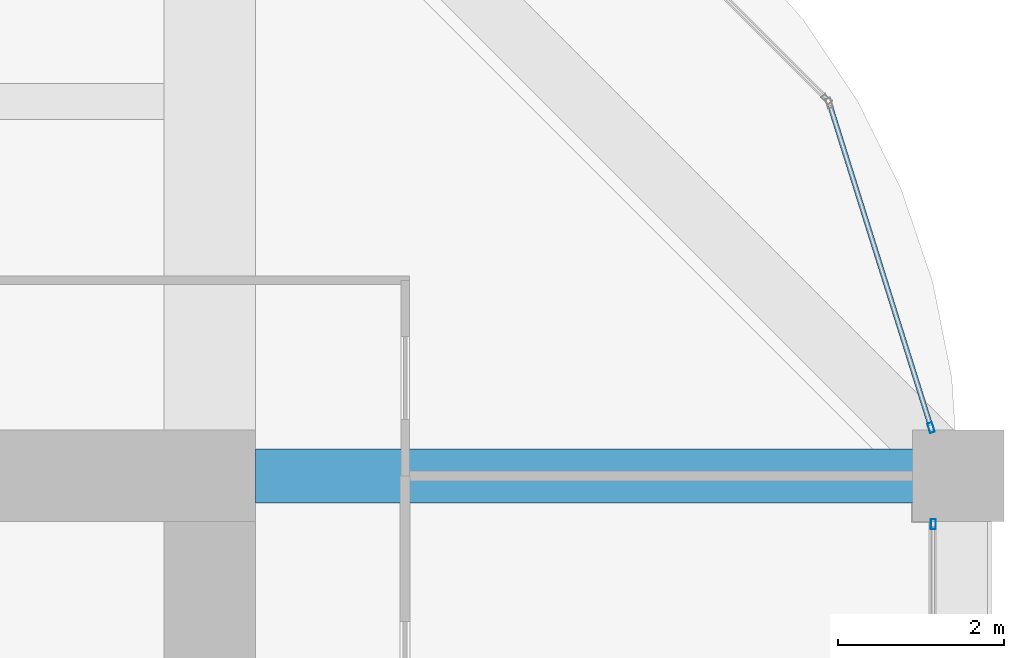
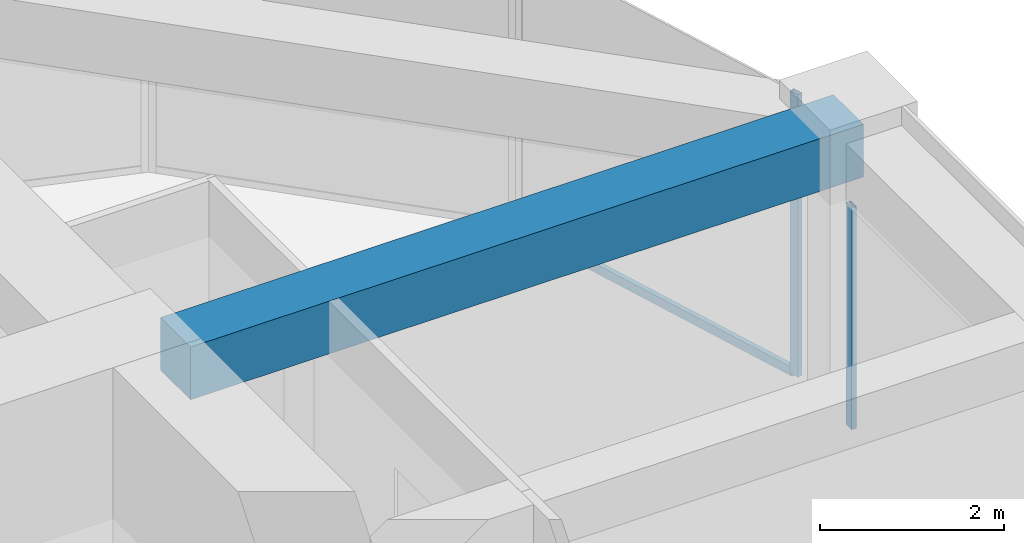
# One storey, part 36 of 44: 3 members, 1 beam, 2 elements without a shape of their own.
"""IFC4 building model written with IfcOpenShell, lengths in metres."""

from ifc_helpers import new_model, si_unit, direction, frame, origin, origin_2d, place, context, subcontext, project, spatial, rectangle, hollow_rectangle, extrude, material, material_profile, profile_set, type_object, element, aggregate, save


model = new_model("IFC4")

# Units and contexts
model_context = context("Model", 3, precision=1e-05, world=origin(), true_north=direction((0.0, 1.0)))
body_context = subcontext(model_context, "Body", "Model", "MODEL_VIEW")
ifc_project = project(units=[si_unit("LENGTHUNIT", "METRE"), si_unit("AREAUNIT", "SQUARE_METRE"), si_unit("VOLUMEUNIT", "CUBIC_METRE"), si_unit("PLANEANGLEUNIT", "RADIAN"), si_unit("MASSUNIT", "GRAM", prefix="KILO")], contexts=[model_context])

# Site, building, storey
site_placement = place(None, origin())
site = spatial("IfcSite", under=ifc_project, at=site_placement, CompositionType="ELEMENT")
building_placement = place(site_placement, origin())
building = spatial("IfcBuilding", under=site, at=building_placement, Name="Zorevar Civic Tower", CompositionType="ELEMENT")
storey_placement = place(building_placement, frame((0.0, 0.0, 259.39990234375)))
storey = spatial("IfcBuildingStorey", under=building, at=storey_placement, Name="L63", CompositionType="ELEMENT", Elevation=259.39990234375)

# Beam
ifc_material_1 = material(Name="Concrete C50/60", Category="concrete")
ifc_material_profile_1 = material_profile(ifc_material_1, rectangle(XDim=0.64990234375, YDim=0.699951171875, at=origin_2d()), Name="RC 650x700")
ifc_profile_set_1 = profile_set([ifc_material_profile_1], Name="Concrete C50/60")
beam_type = type_object("IfcBeamType", Name="Beam RC 650x700", PredefinedType="BEAM", material=ifc_profile_set_1)
beam_placement = place(storey_placement, frame((45.550048828125, 36.0, 3.400146484375), z_axis=(1.0, 0.0, 0.0), x_axis=(0.0, 1.0, 0.0)))
element("IfcBeam", 1, at=beam_placement, inside=storey, type_object=beam_type, Name="Girder L64", PredefinedType="BEAM", context=body_context, shape_type="SweptSolid", body=[
    extrude(rectangle(XDim=0.64990234375, YDim=0.699951171875, at=origin_2d()), origin(), (0.0, 0.0, 1.0), 8.449951171875),
])

# Curtain wall, member
ifc_material_2 = material(Name="Dark grey solar-control glass in black aluminium frame", Category="aluminium")
curtain_wall_type = type_object("IfcCurtainWallType", Name="Curtain wall CW5 top zone", PredefinedType="NOTDEFINED", material=ifc_material_2)
curtain_wall_1_placement = place(storey_placement, origin())
curtain_wall_1 = element("IfcCurtainWall", 2, at=curtain_wall_1_placement, inside=storey, type_object=curtain_wall_type, Name="CW5 L63", PredefinedType="NOTDEFINED")
ifc_material_3 = material(Name="Aluminium, black anodised", Category="aluminium")
ifc_material_profile_2 = material_profile(ifc_material_3, hollow_rectangle(XDim=0.06005859375, YDim=0.1201171875, WallThickness=0.0029296875, at=origin_2d()), Name="AL 120x60x3")
ifc_profile_set_2 = profile_set([ifc_material_profile_2], Name="Aluminium, black anodised")
member_type_1 = type_object("IfcMemberType", Name="CW5 mullion AL 120x60x3", PredefinedType="MULLION", material=ifc_profile_set_2)
member_1_placement = place(storey_placement, frame((53.699951171875, 35.419921875, 0.0), z_axis=(0.0, 0.0, 1.0), x_axis=(-1.0, 0.0, 0.0)))
member_1 = element("IfcMember", 3, at=member_1_placement, type_object=member_type_1, Name="CW5 mullion 3", PredefinedType="MULLION", context=body_context, shape_type="SweptSolid", body=[
    extrude(hollow_rectangle(XDim=0.06005859375, YDim=0.1201171875, WallThickness=0.0029296875, at=origin_2d()), origin(), (0.0, 0.0, 1.0), 2.9501953125),
])
aggregate(curtain_wall_1, [member_1])

# Curtain wall, members
curtain_wall_2_placement = place(storey_placement, origin())
curtain_wall_2 = element("IfcCurtainWall", 4, at=curtain_wall_2_placement, inside=storey, type_object=curtain_wall_type, Name="CW5 L63", PredefinedType="NOTDEFINED")
member_2_placement = place(storey_placement, frame((53.673583984375, 36.57861328125, 0.0), z_axis=(0.0, 0.0, 1.0), x_axis=(-0.954153437674, -0.299317920238, 0.0)))
member_2 = element("IfcMember", 5, at=member_2_placement, type_object=member_type_1, Name="CW5 mullion 1", PredefinedType="MULLION", context=body_context, shape_type="SweptSolid", body=[
    extrude(hollow_rectangle(XDim=0.06005859375, YDim=0.1201171875, WallThickness=0.0029296875, at=origin_2d()), origin(), (0.0, 0.0, 1.0), 3.75),
])
ifc_material_4 = material(Name="Aluminium, black anodised", Category="aluminium")
ifc_material_profile_3 = material_profile(ifc_material_4, hollow_rectangle(XDim=0.06005859375, YDim=0.1201171875, WallThickness=0.0029296875, at=origin_2d()), Name="AL 120x60x3")
ifc_profile_set_3 = profile_set([ifc_material_profile_3], Name="Aluminium, black anodised")
member_type_2 = type_object("IfcMemberType", Name="CW5 transom AL 120x60x3", PredefinedType="USERDEFINED", material=ifc_profile_set_3)
member_3_placement = place(storey_placement, frame((53.66455078125, 36.607177734375, 0.030029296875), z_axis=(-0.299285978047, 0.954163457351, 0.0), x_axis=(-0.954163457351, -0.299285978047, 0.0)))
member_3 = element("IfcMember", 6, at=member_3_placement, type_object=member_type_2, Name="CW5 sill transom", ObjectType="TRANSOM", PredefinedType="USERDEFINED", context=body_context, shape_type="SweptSolid", body=[
    extrude(hollow_rectangle(XDim=0.06005859375, YDim=0.1201171875, WallThickness=0.0029296875, at=origin_2d()), origin(), (0.0, 0.0, 1.0), 4.028076171875),
])
aggregate(curtain_wall_2, [member_2, member_3])

save(model, "model.ifc")
